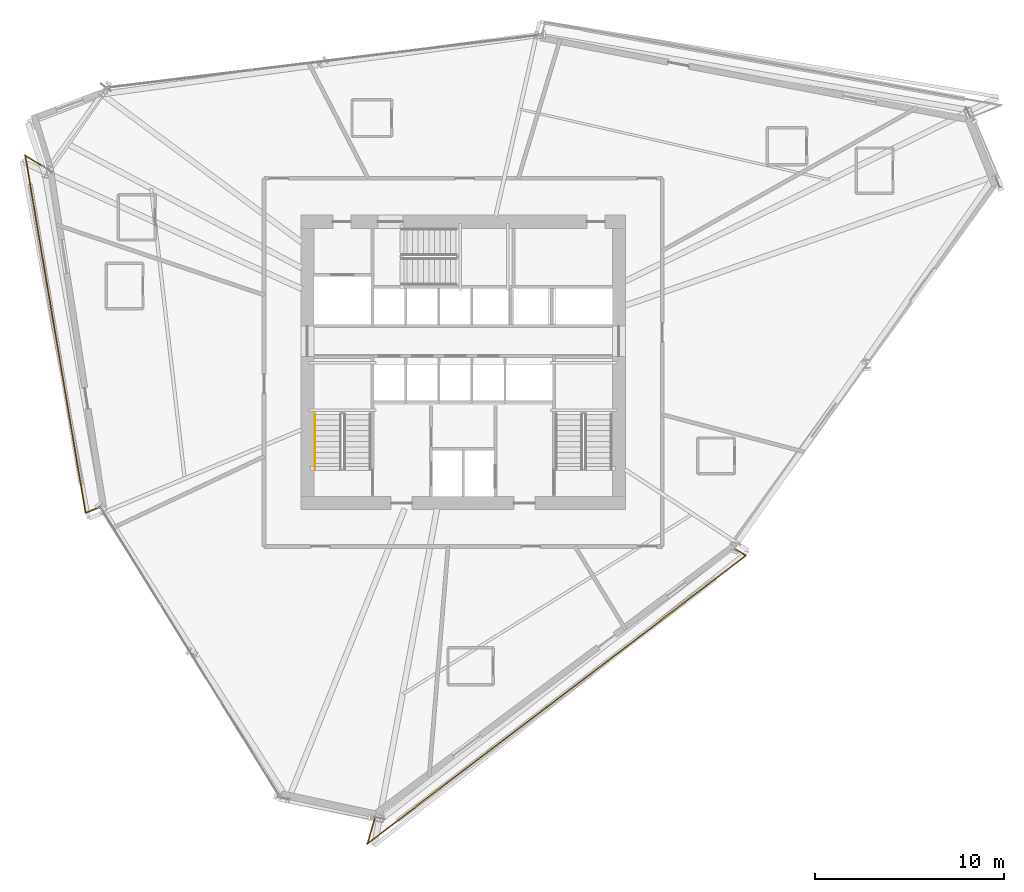
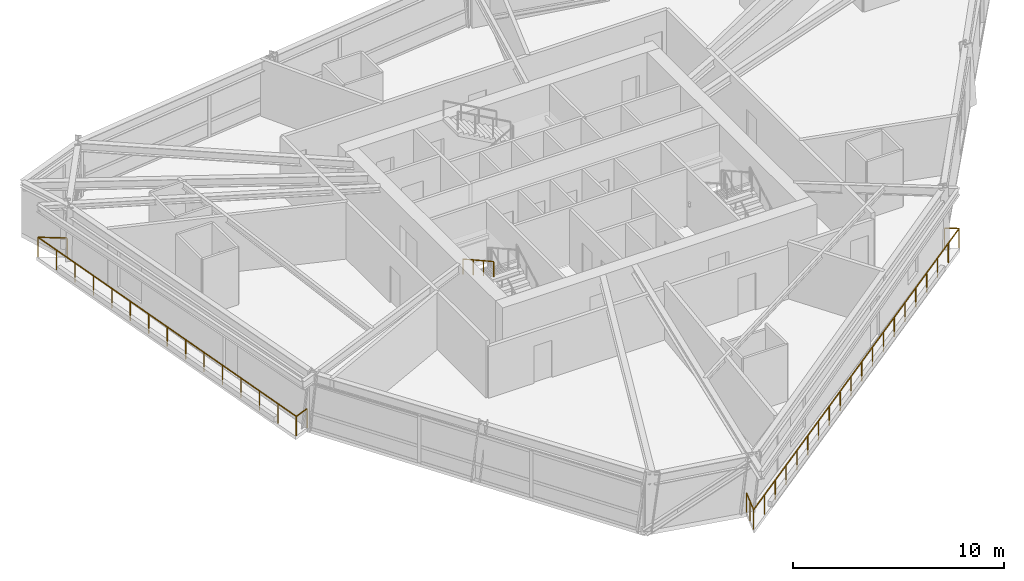
# One storey, part 16 of 18: 3 railings.
"""IFC4 building model written with IfcOpenShell, lengths in metres."""

from ifc_helpers import new_model, si_unit, direction, frame, origin, origin_2d, place, context, subcontext, project, spatial, rectangle, extrude, material, type_object, element, save


model = new_model("IFC4")

# Units and contexts
model_context = context("Model", 3, precision=1e-05, world=origin(), true_north=direction((0.0, 1.0)))
body_context = subcontext(model_context, "Body", "Model", "MODEL_VIEW")
ifc_project = project(units=[si_unit("LENGTHUNIT", "METRE"), si_unit("AREAUNIT", "SQUARE_METRE"), si_unit("VOLUMEUNIT", "CUBIC_METRE"), si_unit("PLANEANGLEUNIT", "RADIAN"), si_unit("MASSUNIT", "GRAM", prefix="KILO")], contexts=[model_context])

# Site, building, storey
site_placement = place(None, origin())
site = spatial("IfcSite", under=ifc_project, at=site_placement, CompositionType="ELEMENT")
building_placement = place(site_placement, origin())
building = spatial("IfcBuilding", under=site, at=building_placement, Name="Olszyna Solenne Hotel", CompositionType="ELEMENT")
storey_placement = place(building_placement, frame((0.0, 0.0, 123.449951171875)))
storey = spatial("IfcBuildingStorey", under=building, at=storey_placement, Name="L32", CompositionType="ELEMENT", Elevation=123.449951171875)

# Railings
ifc_material_1 = material(Name="Anodised bronze aluminium", Category="aluminium")
railing_type_1 = type_object("IfcRailingType", Name="GR-110", PredefinedType="BALUSTRADE", material=ifc_material_1)
railing_1_placement = place(storey_placement, frame((15.970703125, 36.841552734375, 0.0)))
element("IfcRailing", 1, at=railing_1_placement, inside=storey, type_object=railing_type_1, Name="Loggia balcony balustrade guard GR-L32-LG2", PredefinedType="BALUSTRADE", context=body_context, shape_type="SweptSolid", body=[
    extrude(rectangle(XDim=0.048095703125, YDim=0.048095703125, at=origin_2d()), frame((0.0, 0.0, 1.1259765625), z_axis=(-0.849536214816, 0.527530302178, 0.0), x_axis=(-0.527530302178, -0.849536214816, 0.0)), (0.0, 0.0, 1.0), 1.379150390625),
    extrude(rectangle(XDim=0.048095703125, YDim=0.048095703125, at=origin_2d()), frame((-1.171630859375, 0.7275390625, 1.1259765625), z_axis=(0.166502351915, -0.986041057364, 0.0), x_axis=(0.986041057364, 0.166502351915, 0.0)), (0.0, 0.0, 1.0), 19.21435546875),
    extrude(rectangle(XDim=0.048095703125, YDim=0.048095703125, at=origin_2d()), frame((2.027587890625, -18.218505859375, 1.1259765625), z_axis=(0.927097265861, 0.374820836711, 0.0), x_axis=(-0.374820836711, 0.927097265861, 0.0)), (0.0, 0.0, 1.0), 0.84619140625),
    extrude(rectangle(XDim=0.0419921875, YDim=0.0419921875, at=origin_2d()), origin(), (0.0, 0.0, 1.0), 1.101806640625),
    extrude(rectangle(XDim=0.0419921875, YDim=0.0419921875, at=origin_2d()), frame((-1.171630859375, 0.7275390625, 0.0)), (0.0, 0.0, 1.0), 1.101806640625),
    extrude(rectangle(XDim=0.0419921875, YDim=0.0419921875, at=origin_2d()), frame((-0.943115234375, -0.625732421875, 0.0)), (0.0, 0.0, 1.0), 1.101806640625),
    extrude(rectangle(XDim=0.0419921875, YDim=0.0419921875, at=origin_2d()), frame((-0.714599609375, -1.97900390625, 0.0)), (0.0, 0.0, 1.0), 1.101806640625),
    extrude(rectangle(XDim=0.0419921875, YDim=0.0419921875, at=origin_2d()), frame((-0.486083984375, -3.332275390625, 0.0)), (0.0, 0.0, 1.0), 1.101806640625),
    extrude(rectangle(XDim=0.0419921875, YDim=0.0419921875, at=origin_2d()), frame((-0.257568359375, -4.685546875, 0.0)), (0.0, 0.0, 1.0), 1.101806640625),
    extrude(rectangle(XDim=0.0419921875, YDim=0.0419921875, at=origin_2d()), frame((-0.029052734375, -6.038818359375, 0.0)), (0.0, 0.0, 1.0), 1.101806640625),
    extrude(rectangle(XDim=0.0419921875, YDim=0.0419921875, at=origin_2d()), frame((0.199462890625, -7.39208984375, 0.0)), (0.0, 0.0, 1.0), 1.101806640625),
    extrude(rectangle(XDim=0.0419921875, YDim=0.0419921875, at=origin_2d()), frame((0.427978515625, -8.74560546875, 0.0)), (0.0, 0.0, 1.0), 1.101806640625),
    extrude(rectangle(XDim=0.0419921875, YDim=0.0419921875, at=origin_2d()), frame((0.656494140625, -10.098876953125, 0.0)), (0.0, 0.0, 1.0), 1.101806640625),
    extrude(rectangle(XDim=0.0419921875, YDim=0.0419921875, at=origin_2d()), frame((0.885009765625, -11.4521484375, 0.0)), (0.0, 0.0, 1.0), 1.101806640625),
    extrude(rectangle(XDim=0.0419921875, YDim=0.0419921875, at=origin_2d()), frame((1.113525390625, -12.805419921875, 0.0)), (0.0, 0.0, 1.0), 1.101806640625),
    extrude(rectangle(XDim=0.0419921875, YDim=0.0419921875, at=origin_2d()), frame((1.342041015625, -14.15869140625, 0.0)), (0.0, 0.0, 1.0), 1.101806640625),
    extrude(rectangle(XDim=0.0419921875, YDim=0.0419921875, at=origin_2d()), frame((1.570556640625, -15.511962890625, 0.0)), (0.0, 0.0, 1.0), 1.101806640625),
    extrude(rectangle(XDim=0.0419921875, YDim=0.0419921875, at=origin_2d()), frame((1.799072265625, -16.865234375, 0.0)), (0.0, 0.0, 1.0), 1.101806640625),
    extrude(rectangle(XDim=0.0419921875, YDim=0.0419921875, at=origin_2d()), frame((2.027587890625, -18.218505859375, 0.0)), (0.0, 0.0, 1.0), 1.101806640625),
    extrude(rectangle(XDim=0.0419921875, YDim=0.0419921875, at=origin_2d()), frame((2.81201171875, -17.9013671875, 0.0)), (0.0, 0.0, 1.0), 1.101806640625),
])
railing_2_placement = place(storey_placement, frame((33.32080078125, 2.46435546875, 0.0)))
element("IfcRailing", 2, at=railing_2_placement, inside=storey, type_object=railing_type_1, Name="Loggia balcony balustrade guard GR-L32-LG3", PredefinedType="BALUSTRADE", context=body_context, shape_type="SweptSolid", body=[
    extrude(rectangle(XDim=0.048095703125, YDim=0.048095703125, at=origin_2d()), frame((0.0, 0.0, 1.1259765625), z_axis=(-0.279537285077, -0.960134837537, 0.0), x_axis=(0.960134837537, -0.279537285077, 0.0)), (0.0, 0.0, 1.0), 1.41845703125),
    extrude(rectangle(XDim=0.048095703125, YDim=0.048095703125, at=origin_2d()), frame((-0.396484375, -1.36181640625, 1.1259765625), z_axis=(0.795859942664, 0.60548076077, 0.0), x_axis=(-0.60548076077, 0.795859942664, 0.0)), (0.0, 0.0, 1.0), 25.2080078125),
    extrude(rectangle(XDim=0.048095703125, YDim=0.048095703125, at=origin_2d()), frame((19.66552734375, 13.901123046875, 1.1259765625), z_axis=(-0.849585467285, 0.527450977606, 0.0), x_axis=(-0.527450977606, -0.849585467285, 0.0)), (0.0, 0.0, 1.0), 0.689697265625),
    extrude(rectangle(XDim=0.0419921875, YDim=0.0419921875, at=origin_2d()), origin(), (0.0, 0.0, 1.0), 1.101806640625),
    extrude(rectangle(XDim=0.0419921875, YDim=0.0419921875, at=origin_2d()), frame((-0.1982421875, -0.680908203125, 0.0)), (0.0, 0.0, 1.0), 1.101806640625),
    extrude(rectangle(XDim=0.0419921875, YDim=0.0419921875, at=origin_2d()), frame((-0.396484375, -1.36181640625, 0.0)), (0.0, 0.0, 1.0), 1.101806640625),
    extrude(rectangle(XDim=0.0419921875, YDim=0.0419921875, at=origin_2d()), frame((0.659423828125, -0.55859375, 0.0)), (0.0, 0.0, 1.0), 1.101806640625),
    extrude(rectangle(XDim=0.0419921875, YDim=0.0419921875, at=origin_2d()), frame((1.71533203125, 0.244873046875, 0.0)), (0.0, 0.0, 1.0), 1.101806640625),
    extrude(rectangle(XDim=0.0419921875, YDim=0.0419921875, at=origin_2d()), frame((2.771240234375, 1.048095703125, 0.0)), (0.0, 0.0, 1.0), 1.101806640625),
    extrude(rectangle(XDim=0.0419921875, YDim=0.0419921875, at=origin_2d()), frame((3.8271484375, 1.851318359375, 0.0)), (0.0, 0.0, 1.0), 1.101806640625),
    extrude(rectangle(XDim=0.0419921875, YDim=0.0419921875, at=origin_2d()), frame((4.883056640625, 2.65478515625, 0.0)), (0.0, 0.0, 1.0), 1.101806640625),
    extrude(rectangle(XDim=0.0419921875, YDim=0.0419921875, at=origin_2d()), frame((5.93896484375, 3.4580078125, 0.0)), (0.0, 0.0, 1.0), 1.101806640625),
    extrude(rectangle(XDim=0.0419921875, YDim=0.0419921875, at=origin_2d()), frame((6.994873046875, 4.261474609375, 0.0)), (0.0, 0.0, 1.0), 1.101806640625),
    extrude(rectangle(XDim=0.0419921875, YDim=0.0419921875, at=origin_2d()), frame((8.05078125, 5.064697265625, 0.0)), (0.0, 0.0, 1.0), 1.101806640625),
    extrude(rectangle(XDim=0.0419921875, YDim=0.0419921875, at=origin_2d()), frame((9.106689453125, 5.867919921875, 0.0)), (0.0, 0.0, 1.0), 1.101806640625),
    extrude(rectangle(XDim=0.0419921875, YDim=0.0419921875, at=origin_2d()), frame((10.162353515625, 6.67138671875, 0.0)), (0.0, 0.0, 1.0), 1.101806640625),
    extrude(rectangle(XDim=0.0419921875, YDim=0.0419921875, at=origin_2d()), frame((11.21826171875, 7.474609375, 0.0)), (0.0, 0.0, 1.0), 1.101806640625),
    extrude(rectangle(XDim=0.0419921875, YDim=0.0419921875, at=origin_2d()), frame((12.274169921875, 8.27783203125, 0.0)), (0.0, 0.0, 1.0), 1.101806640625),
    extrude(rectangle(XDim=0.0419921875, YDim=0.0419921875, at=origin_2d()), frame((13.330078125, 9.081298828125, 0.0)), (0.0, 0.0, 1.0), 1.101806640625),
    extrude(rectangle(XDim=0.0419921875, YDim=0.0419921875, at=origin_2d()), frame((14.385986328125, 9.884521484375, 0.0)), (0.0, 0.0, 1.0), 1.101806640625),
    extrude(rectangle(XDim=0.0419921875, YDim=0.0419921875, at=origin_2d()), frame((15.44189453125, 10.68798828125, 0.0)), (0.0, 0.0, 1.0), 1.101806640625),
    extrude(rectangle(XDim=0.0419921875, YDim=0.0419921875, at=origin_2d()), frame((16.497802734375, 11.4912109375, 0.0)), (0.0, 0.0, 1.0), 1.101806640625),
    extrude(rectangle(XDim=0.0419921875, YDim=0.0419921875, at=origin_2d()), frame((17.5537109375, 12.29443359375, 0.0)), (0.0, 0.0, 1.0), 1.101806640625),
    extrude(rectangle(XDim=0.0419921875, YDim=0.0419921875, at=origin_2d()), frame((18.609619140625, 13.097900390625, 0.0)), (0.0, 0.0, 1.0), 1.101806640625),
    extrude(rectangle(XDim=0.0419921875, YDim=0.0419921875, at=origin_2d()), frame((19.66552734375, 13.901123046875, 0.0)), (0.0, 0.0, 1.0), 1.101806640625),
    extrude(rectangle(XDim=0.0419921875, YDim=0.0419921875, at=origin_2d()), frame((19.07958984375, 14.264892578125, 0.0)), (0.0, 0.0, 1.0), 1.101806640625),
])
ifc_material_2 = material(Name="Steel S355J2", Category="steel")
railing_type_2 = type_object("IfcRailingType", Name="HR-090", PredefinedType="HANDRAIL", material=ifc_material_2)
railing_3_placement = place(storey_placement, frame((30.14990234375, 23.85009765625, 1.9365234375)))
element("IfcRailing", 3, at=railing_3_placement, inside=storey, type_object=railing_type_2, Name="L32 ST1 stair handrail 2", PredefinedType="HANDRAIL", context=body_context, shape_type="SweptSolid", body=[
    extrude(rectangle(XDim=0.048095703125, YDim=0.048095703125, at=origin_2d()), frame((0.0, 0.0, 0.8759765625), z_axis=(0.0, -0.873858693841, 0.486179990537), x_axis=(1.0, 0.0, 0.0)), (0.0, 0.0, 1.0), 3.31884765625),
    extrude(rectangle(XDim=0.0419921875, YDim=0.0419921875, at=origin_2d()), origin(), (0.0, 0.0, 1.0), 0.851806640625),
    extrude(rectangle(XDim=0.0419921875, YDim=0.0419921875, at=origin_2d()), frame((0.0, -0.966796875, 0.537841796875)), (0.0, 0.0, 1.0), 0.851806640625),
    extrude(rectangle(XDim=0.0419921875, YDim=0.0419921875, at=origin_2d()), frame((0.0, -1.933349609375, 1.07568359375)), (0.0, 0.0, 1.0), 0.851806640625),
    extrude(rectangle(XDim=0.0419921875, YDim=0.0419921875, at=origin_2d()), frame((0.0, -2.900146484375, 1.613525390625)), (0.0, 0.0, 1.0), 0.851806640625),
])

save(model, "model.ifc")
